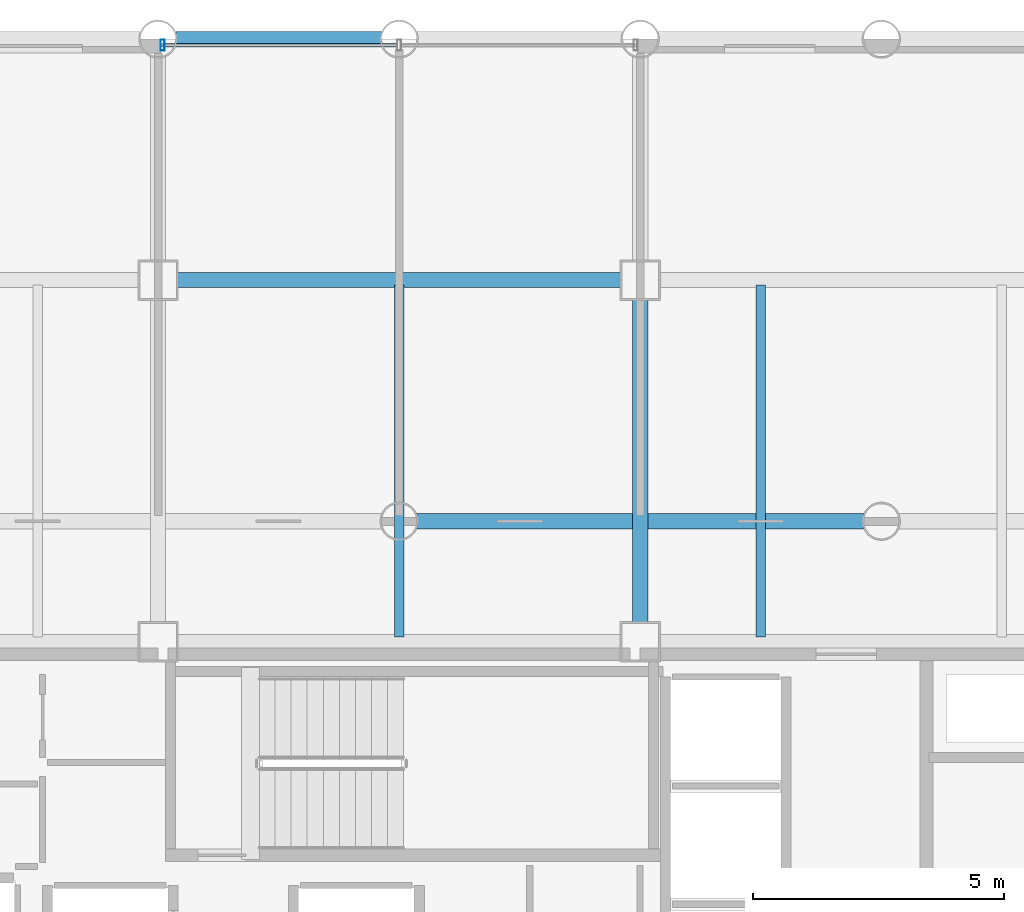
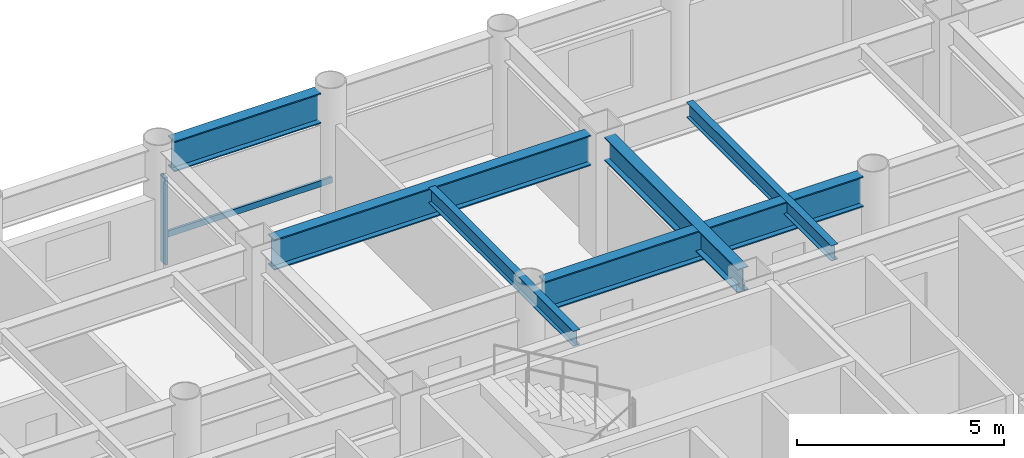
# One storey, part 11 of 21: 6 beams, 2 members, 1 element without a shape of its own.
"""IFC4 building model written with IfcOpenShell, lengths in metres."""

from ifc_helpers import new_model, si_unit, direction, frame, origin, origin_2d, place, context, subcontext, project, spatial, hollow_rectangle, i_section, extrude, material, layer, layer_set, material_profile, profile_set, type_object, element, aggregate, save


model = new_model("IFC4")

# Units and contexts
model_context = context("Model", 3, precision=1e-05, world=origin(), true_north=direction((0.0, 1.0)))
body_context = subcontext(model_context, "Body", "Model", "MODEL_VIEW")
ifc_project = project(units=[si_unit("LENGTHUNIT", "METRE"), si_unit("AREAUNIT", "SQUARE_METRE"), si_unit("VOLUMEUNIT", "CUBIC_METRE"), si_unit("PLANEANGLEUNIT", "RADIAN"), si_unit("MASSUNIT", "GRAM", prefix="KILO")], contexts=[model_context])

# Site, building, storey
site_placement = place(None, origin())
site = spatial("IfcSite", under=ifc_project, at=site_placement, CompositionType="ELEMENT")
building_placement = place(site_placement, origin())
building = spatial("IfcBuilding", under=site, at=building_placement, Name="Kallvorn Hotel Tower", CompositionType="ELEMENT")
storey_placement = place(building_placement, frame((0.0, 0.0, 52.199951171875)))
storey = spatial("IfcBuildingStorey", under=building, at=storey_placement, Name="L11", CompositionType="ELEMENT", Elevation=52.199951171875)

# Beams
ifc_material_1 = material(Name="Structural steel S355JR", Category="steel")
ifc_material_profile_1 = material_profile(ifc_material_1, i_section(OverallWidth=0.300048828125, OverallDepth=0.699951171875, WebThickness=0.01708984375, FlangeThickness=0.031982421875, at=origin_2d()), Name="HE 700 B")
ifc_profile_set_1 = profile_set([ifc_material_profile_1], Name="Structural steel S355JR")
beam_type_1 = type_object("IfcBeamType", Name="BM_HE700B", PredefinedType="BEAM", material=ifc_profile_set_1)
beam_1_placement = place(storey_placement, frame((4.800048828125, 7.574951171875, 3.170166015625), z_axis=(0.0, 1.0, 0.0), x_axis=(-1.0, 0.0, 0.0)))
element("IfcBeam", 1, at=beam_1_placement, inside=storey, type_object=beam_type_1, Name="L12 Primary Y-Girder 117", PredefinedType="BEAM", context=body_context, shape_type="SweptSolid", body=[
    extrude(i_section(OverallWidth=0.300048828125, OverallDepth=0.699951171875, WebThickness=0.01708984375, FlangeThickness=0.031982421875, at=origin_2d()), origin(), (0.0, 0.0, 1.0), 6.449951171875),
])
ifc_material_2 = material(Name="Structural steel S355JR", Category="steel")
ifc_material_profile_2 = material_profile(ifc_material_2, i_section(OverallWidth=0.300048828125, OverallDepth=0.89990234375, WebThickness=0.0185546875, FlangeThickness=0.034912109375, at=origin_2d()), Name="HE 900 B")
ifc_profile_set_2 = profile_set([ifc_material_profile_2], Name="Structural steel S355JR")
beam_type_2 = type_object("IfcBeamType", Name="BM_HE900B", PredefinedType="BEAM", material=ifc_profile_set_2)
beam_2_placement = place(storey_placement, frame((0.35595703125, 9.60009765625, 3.070068359375), z_axis=(1.0, 0.0, 0.0), x_axis=(0.0, 1.0, 0.0)))
element("IfcBeam", 2, at=beam_2_placement, inside=storey, type_object=beam_type_2, Name="L12 Primary X-Girder 47", PredefinedType="BEAM", context=body_context, shape_type="SweptSolid", body=[
    extrude(i_section(OverallWidth=0.300048828125, OverallDepth=0.89990234375, WebThickness=0.0185546875, FlangeThickness=0.034912109375, at=origin_2d()), origin(), (0.0, 0.0, 1.0), 8.887939453125),
])
beam_3_placement = place(storey_placement, frame((-4.425048828125, 14.39990234375, 3.070068359375), z_axis=(1.0, 0.0, 0.0), x_axis=(0.0, 1.0, 0.0)))
element("IfcBeam", 3, at=beam_3_placement, inside=storey, type_object=beam_type_2, Name="L12 Primary X-Girder 56", PredefinedType="BEAM", context=body_context, shape_type="SweptSolid", body=[
    extrude(i_section(OverallWidth=0.300048828125, OverallDepth=0.89990234375, WebThickness=0.0185546875, FlangeThickness=0.034912109375, at=origin_2d()), origin(), (0.0, 0.0, 1.0), 8.85009765625),
])
beam_4_placement = place(storey_placement, frame((-4.444091796875, 19.199951171875, 3.070068359375), z_axis=(1.0, 0.0, 0.0), x_axis=(0.0, 1.0, 0.0)))
element("IfcBeam", 4, at=beam_4_placement, inside=storey, type_object=beam_type_2, Name="L12 Primary X-Girder 66", PredefinedType="BEAM", context=body_context, shape_type="SweptSolid", body=[
    extrude(i_section(OverallWidth=0.300048828125, OverallDepth=0.89990234375, WebThickness=0.0185546875, FlangeThickness=0.034912109375, at=origin_2d()), origin(), (0.0, 0.0, 1.0), 4.088134765625),
])
ifc_material_3 = material(Name="Structural steel S355JR", Category="steel")
ifc_material_profile_3 = material_profile(ifc_material_3, i_section(OverallWidth=0.18994140625, OverallDepth=0.449951171875, WebThickness=0.009521484375, FlangeThickness=0.0146484375, at=origin_2d()), Name="IPE 450")
ifc_profile_set_3 = profile_set([ifc_material_profile_3], Name="Structural steel S355JR")
beam_type_3 = type_object("IfcBeamType", Name="BM_IPE450", PredefinedType="JOIST", material=ifc_profile_set_3)
for number, where, z_axis, x_axis, name in (
    (5, (0.0, 7.300048828125, 3.295166015625), (0.0, 1.0, 0.0), (-1.0, 0.0, 0.0), "L12 Secondary Composite Joist 201"),
    (6, (7.199951171875, 7.300048828125, 3.295166015625), (0.0, 1.0, 0.0), (-1.0, 0.0, 0.0), "L12 Secondary Composite Joist 203"),
):
    element("IfcBeam", number, at=place(storey_placement, frame(where, z_axis=z_axis, x_axis=x_axis)), inside=storey, type_object=beam_type_3, Name=name, PredefinedType="JOIST", context=body_context, shape_type="SweptSolid", body=[
        extrude(i_section(OverallWidth=0.18994140625, OverallDepth=0.449951171875, WebThickness=0.009521484375, FlangeThickness=0.0146484375, at=origin_2d()), origin(), (0.0, 0.0, 1.0), 7.0),
    ])

# Curtain wall, members
ifc_material_4 = material(Name="Thermally broken black-anodised aluminium AA 6063-T6", Category="aluminium")
ifc_layer = layer(ifc_material_4, 0.199951171875)
ifc_layer_set = layer_set([ifc_layer], Name="CW_SYS_3_HOTEL_LOW")
curtain_wall_type = type_object("IfcCurtainWallType", Name="CW_SYS_3_HOTEL_LOW", PredefinedType="USERDEFINED", material=ifc_layer_set)
curtain_wall_placement = place(storey_placement, origin())
curtain_wall = element("IfcCurtainWall", 7, at=curtain_wall_placement, inside=storey, type_object=curtain_wall_type, Name="L11 Dark-Glass Curtain Wall CW-L11-NC", ObjectType="UNITISED CURTAIN WALL", PredefinedType="USERDEFINED")
ifc_material_5 = material(Name="Thermally broken black-anodised aluminium AA 6063-T6", Category="aluminium")
ifc_material_profile_4 = material_profile(ifc_material_5, hollow_rectangle(XDim=0.080078125, YDim=0.219970703125, WallThickness=0.0048828125, at=origin_2d()), Name="MUL 220x80")
ifc_profile_set_4 = profile_set([ifc_material_profile_4], Name="Thermally broken black-anodised aluminium AA 6063-T6")
member_type_1 = type_object("IfcMemberType", Name="CW_MULLION_220x80", PredefinedType="MULLION", material=ifc_profile_set_4)
member_1_placement = place(storey_placement, frame((-4.7099609375, 19.080078125, 0.02001953125), z_axis=(0.0, 0.0, 1.0), x_axis=(1.0, 0.0, 0.0)))
member_1 = element("IfcMember", 8, at=member_1_placement, type_object=member_type_1, Name="CW-L11-NC Mullion 00", PredefinedType="MULLION", context=body_context, shape_type="SweptSolid", body=[
    extrude(hollow_rectangle(XDim=0.080078125, YDim=0.219970703125, WallThickness=0.0048828125, at=origin_2d()), origin(), (0.0, 0.0, 1.0), 2.580078125),
])
ifc_material_6 = material(Name="Thermally broken black-anodised aluminium AA 6063-T6", Category="aluminium")
ifc_material_profile_5 = material_profile(ifc_material_6, hollow_rectangle(XDim=0.070068359375, YDim=0.179931640625, WallThickness=0.00390625, at=origin_2d()), Name="TRN 180x70")
ifc_profile_set_5 = profile_set([ifc_material_profile_5], Name="Thermally broken black-anodised aluminium AA 6063-T6")
member_type_2 = type_object("IfcMemberType", Name="CW_TRANSOM_180x70", PredefinedType="USERDEFINED", material=ifc_profile_set_5)
member_2_placement = place(storey_placement, frame((-4.7099609375, 19.080078125, 0.85009765625), z_axis=(1.0, 0.0, 0.0), x_axis=(0.0, 1.0, 0.0)))
member_2 = element("IfcMember", 9, at=member_2_placement, type_object=member_type_2, Name="CW-L11-NC Transom 00M", ObjectType="TRANSOM", PredefinedType="USERDEFINED", context=body_context, shape_type="SweptSolid", body=[
    extrude(hollow_rectangle(XDim=0.070068359375, YDim=0.179931640625, WallThickness=0.00390625, at=origin_2d()), origin(), (0.0, 0.0, 1.0), 4.669921875),
])
aggregate(curtain_wall, [member_1, member_2])

save(model, "model.ifc")
